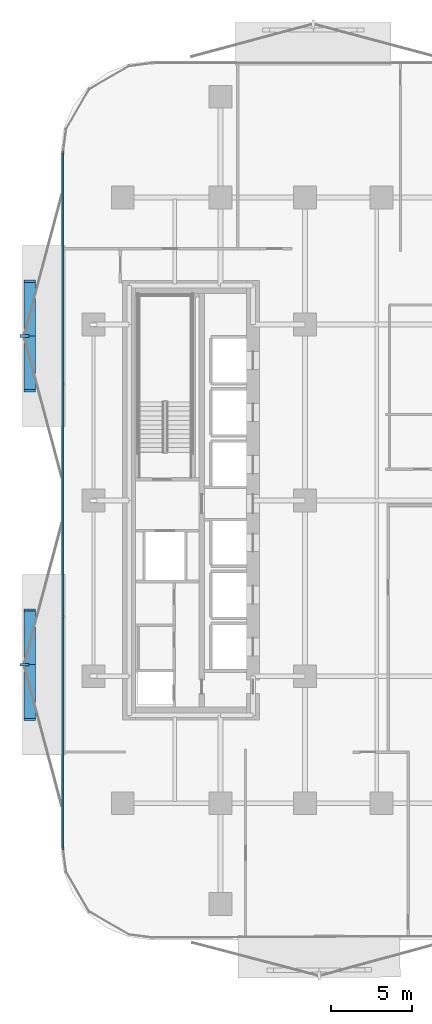
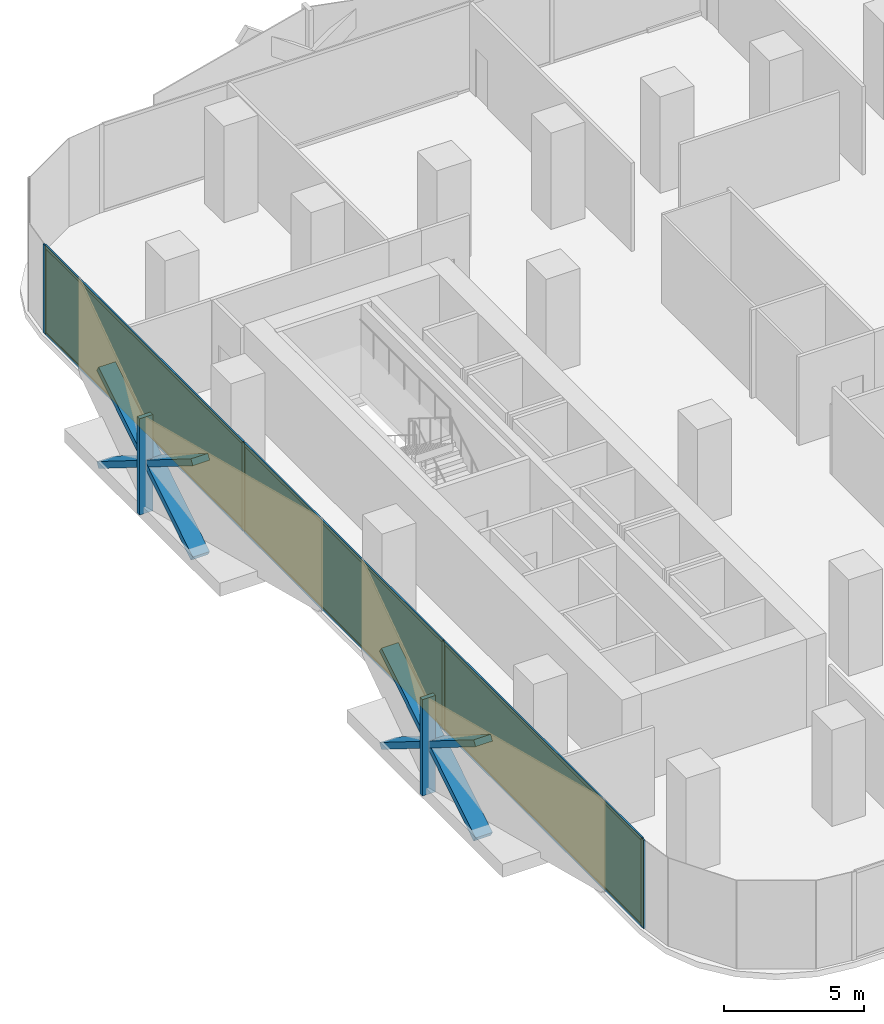
# One storey, part 9 of 16: 16 members, 3 plates, 1 curtain wall.
"""IFC4 building model written with IfcOpenShell, lengths in metres."""

from ifc_helpers import new_model, si_unit, direction, frame, frame_2d, origin, origin_2d, place, context, subcontext, project, spatial, rectangle, extrude, material, layer, layer_set, material_profile, profile_set, type_object, element, aggregate, save


model = new_model("IFC4")

# Units and contexts
model_context = context("Model", 3, precision=1e-05, world=origin(), true_north=direction((0.0, 1.0)))
body_context = subcontext(model_context, "Body", "Model", "MODEL_VIEW")
ifc_project = project(units=[si_unit("LENGTHUNIT", "METRE"), si_unit("AREAUNIT", "SQUARE_METRE"), si_unit("VOLUMEUNIT", "CUBIC_METRE"), si_unit("PLANEANGLEUNIT", "RADIAN"), si_unit("MASSUNIT", "GRAM", prefix="KILO")], contexts=[model_context])

# Member
ifc_material_1 = material(Name="Anodised Bronze Aluminium 6063-T6", Category="aluminium")
ifc_material_profile_1 = material_profile(ifc_material_1, rectangle(XDim=0.260009765625, YDim=0.699951171875, at=origin_2d()))
ifc_profile_set_1 = profile_set([ifc_material_profile_1], Name="Anodised Bronze Aluminium 6063-T6")
member_type_1 = type_object("IfcMemberType", Name="Bronze Diamond Solar-Screen Lattice Rib BDL-700", PredefinedType="MULLION", material=ifc_profile_set_1)
site_placement = place(None, origin())
building_placement = place(site_placement, origin())
storey_placement = place(building_placement, frame((0.0, 0.0, 80.60009765625)))
member_1_placement = place(storey_placement, frame((-26.10009765625, -13.46044921875, -0.130126953125), z_axis=(0.0, 0.848362902952, 0.529415134744), x_axis=(0.0, -0.529415134744, 0.848362902952)))
member_1 = element("IfcMember", 1, at=member_1_placement, type_object=member_type_1, Name="L19 Bronze Diamond Solar Screen Lattice Rib 107A", PredefinedType="MULLION", context=body_context, shape_type="SweptSolid", body=[
    extrude(rectangle(XDim=0.260009765625, YDim=0.699951171875, at=origin_2d()), origin(), (0.0, 0.0, 1.0), 7.93310546875),
])

member_2_placement = place(storey_placement, frame((-26.10009765625, -6.730224609375, -0.130126953125), z_axis=(0.0, -0.848362902952, 0.529415134744), x_axis=(0.0, 0.529415134744, 0.848362902952)))
member_2 = element("IfcMember", 2, at=member_2_placement, type_object=member_type_1, Name="L19 Bronze Diamond Solar Screen Lattice Rib 107B", PredefinedType="MULLION", context=body_context, shape_type="SweptSolid", body=[
    extrude(rectangle(XDim=0.260009765625, YDim=0.699951171875, at=origin_2d()), origin(), (0.0, 0.0, 1.0), 7.93310546875),
])

member_3_placement = place(storey_placement, frame((-26.10009765625, 6.730224609375, -0.130126953125), z_axis=(0.0, 0.848362902952, 0.529415134744), x_axis=(0.0, -0.529415134744, 0.848362902952)))
member_3 = element("IfcMember", 3, at=member_3_placement, type_object=member_type_1, Name="L19 Bronze Diamond Solar Screen Lattice Rib 108A", PredefinedType="MULLION", context=body_context, shape_type="SweptSolid", body=[
    extrude(rectangle(XDim=0.260009765625, YDim=0.699951171875, at=origin_2d()), origin(), (0.0, 0.0, 1.0), 7.93310546875),
])

member_4_placement = place(storey_placement, frame((-26.10009765625, 13.46044921875, -0.130126953125), z_axis=(0.0, -0.848362902952, 0.529415134744), x_axis=(0.0, 0.529415134744, 0.848362902952)))
member_4 = element("IfcMember", 4, at=member_4_placement, type_object=member_type_1, Name="L19 Bronze Diamond Solar Screen Lattice Rib 108B", PredefinedType="MULLION", context=body_context, shape_type="SweptSolid", body=[
    extrude(rectangle(XDim=0.260009765625, YDim=0.699951171875, at=origin_2d()), origin(), (0.0, 0.0, 1.0), 7.93310546875),
])

ifc_material_2 = material(Name="Anodised Bronze Aluminium 6063-T6", Category="aluminium")
ifc_material_profile_2 = material_profile(ifc_material_2, rectangle(XDim=0.179931640625, YDim=0.5400390625, at=origin_2d()))
ifc_profile_set_2 = profile_set([ifc_material_profile_2], Name="Anodised Bronze Aluminium 6063-T6")
member_type_2 = type_object("IfcMemberType", Name="Bronze Solar-Screen Vertical Fold Fin BSF-540", PredefinedType="MULLION", material=ifc_profile_set_2)
member_5_placement = place(storey_placement, frame((-26.43994140625, -10.095458984375, -0.130126953125), z_axis=(0.0, 0.0, 1.0), x_axis=(0.0, 1.0, 0.0)))
member_5 = element("IfcMember", 5, at=member_5_placement, type_object=member_type_2, Name="L19 Bronze Solar Screen Vertical Fin 107", PredefinedType="MULLION", context=body_context, shape_type="SweptSolid", body=[
    extrude(rectangle(XDim=0.179931640625, YDim=0.5400390625, at=origin_2d()), origin(), (0.0, 0.0, 1.0), 4.199951171875),
])

member_6_placement = place(storey_placement, frame((-26.43994140625, 10.095458984375, -0.130126953125), z_axis=(0.0, 0.0, 1.0), x_axis=(0.0, 1.0, 0.0)))
member_6 = element("IfcMember", 6, at=member_6_placement, type_object=member_type_2, Name="L19 Bronze Solar Screen Vertical Fin 108", PredefinedType="MULLION", context=body_context, shape_type="SweptSolid", body=[
    extrude(rectangle(XDim=0.179931640625, YDim=0.5400390625, at=origin_2d()), origin(), (0.0, 0.0, 1.0), 4.199951171875),
])

ifc_material_3 = material(Name="Anodised Bronze Aluminium 6063-T6", Category="aluminium")
ifc_material_profile_3 = material_profile(ifc_material_3, rectangle(XDim=0.06494140625, YDim=0.179931640625, at=origin_2d()))
ifc_profile_set_3 = profile_set([ifc_material_profile_3], Name="Anodised Bronze Aluminium 6063-T6")
member_type_3 = type_object("IfcMemberType", Name="CW-Z1 Mullion 65x180", PredefinedType="MULLION", material=ifc_profile_set_3)
member_7_placement = place(storey_placement, frame((-24.06005859375, -21.3583984375, 0.0), z_axis=(0.0, 0.0, 1.0), x_axis=(-1.0, 0.0, 0.0)))
member_7 = element("IfcMember", 7, at=member_7_placement, type_object=member_type_3, Name="CW-Z1 mullion 1", PredefinedType="MULLION", context=body_context, shape_type="SweptSolid", body=[
    extrude(rectangle(XDim=0.06494140625, YDim=0.179931640625, at=origin_2d()), origin(), (0.0, 0.0, 1.0), 3.849853515625),
])

member_8_placement = place(storey_placement, frame((-24.06005859375, -7.13037109375, 0.0), z_axis=(0.0, 0.0, 1.0), x_axis=(-1.0, 0.0, 0.0)))
member_8 = element("IfcMember", 8, at=member_8_placement, type_object=member_type_3, Name="CW-Z1 mullion 2", PredefinedType="MULLION", context=body_context, shape_type="SweptSolid", body=[
    extrude(rectangle(XDim=0.06494140625, YDim=0.179931640625, at=origin_2d()), origin(), (0.0, 0.0, 1.0), 3.849853515625),
])

member_9_placement = place(storey_placement, frame((-24.06005859375, 7.13037109375, 0.0), z_axis=(0.0, 0.0, 1.0), x_axis=(-1.0, 0.0, 0.0)))
member_9 = element("IfcMember", 9, at=member_9_placement, type_object=member_type_3, Name="CW-Z1 mullion 3", PredefinedType="MULLION", context=body_context, shape_type="SweptSolid", body=[
    extrude(rectangle(XDim=0.06494140625, YDim=0.179931640625, at=origin_2d()), origin(), (0.0, 0.0, 1.0), 3.849853515625),
])

member_10_placement = place(storey_placement, frame((-24.06005859375, 21.3583984375, 0.0), z_axis=(0.0, 0.0, 1.0), x_axis=(-1.0, 0.0, 0.0)))
member_10 = element("IfcMember", 10, at=member_10_placement, type_object=member_type_3, Name="CW-Z1 mullion 4", PredefinedType="MULLION", context=body_context, shape_type="SweptSolid", body=[
    extrude(rectangle(XDim=0.06494140625, YDim=0.179931640625, at=origin_2d()), origin(), (0.0, 0.0, 1.0), 3.849853515625),
])

ifc_material_4 = material(Name="Anodised Bronze Aluminium 6063-T6", Category="aluminium")
ifc_material_profile_4 = material_profile(ifc_material_4, rectangle(XDim=0.06494140625, YDim=0.139892578125, at=origin_2d()))
ifc_profile_set_4 = profile_set([ifc_material_profile_4], Name="Anodised Bronze Aluminium 6063-T6")
member_type_4 = type_object("IfcMemberType", Name="CW-Z1 Transom 65x140", PredefinedType="USERDEFINED", material=ifc_profile_set_4)
member_11_placement = place(storey_placement, frame((-24.06005859375, -21.32568359375, 0.032470703125), z_axis=(0.0, 1.0, 0.0), x_axis=(-1.0, 0.0, 0.0)))
member_11 = element("IfcMember", 11, at=member_11_placement, type_object=member_type_4, Name="CW-Z1 transom 1.1", ObjectType="TRANSOM", PredefinedType="USERDEFINED", context=body_context, shape_type="SweptSolid", body=[
    extrude(rectangle(XDim=0.06494140625, YDim=0.139892578125, at=origin_2d()), origin(), (0.0, 0.0, 1.0), 14.162841796875),
])

member_12_placement = place(storey_placement, frame((-24.06005859375, -21.32568359375, 3.8173828125), z_axis=(0.0, 1.0, 0.0), x_axis=(-1.0, 0.0, 0.0)))
member_12 = element("IfcMember", 12, at=member_12_placement, type_object=member_type_4, Name="CW-Z1 transom 1.2", ObjectType="TRANSOM", PredefinedType="USERDEFINED", context=body_context, shape_type="SweptSolid", body=[
    extrude(rectangle(XDim=0.06494140625, YDim=0.139892578125, at=origin_2d()), origin(), (0.0, 0.0, 1.0), 14.162841796875),
])

member_13_placement = place(storey_placement, frame((-24.06005859375, -7.09765625, 0.032470703125), z_axis=(0.0, 1.0, 0.0), x_axis=(-1.0, 0.0, 0.0)))
member_13 = element("IfcMember", 13, at=member_13_placement, type_object=member_type_4, Name="CW-Z1 transom 2.1", ObjectType="TRANSOM", PredefinedType="USERDEFINED", context=body_context, shape_type="SweptSolid", body=[
    extrude(rectangle(XDim=0.06494140625, YDim=0.139892578125, at=origin_2d()), origin(), (0.0, 0.0, 1.0), 14.1953125),
])

member_14_placement = place(storey_placement, frame((-24.06005859375, -7.09765625, 3.8173828125), z_axis=(0.0, 1.0, 0.0), x_axis=(-1.0, 0.0, 0.0)))
member_14 = element("IfcMember", 14, at=member_14_placement, type_object=member_type_4, Name="CW-Z1 transom 2.2", ObjectType="TRANSOM", PredefinedType="USERDEFINED", context=body_context, shape_type="SweptSolid", body=[
    extrude(rectangle(XDim=0.06494140625, YDim=0.139892578125, at=origin_2d()), origin(), (0.0, 0.0, 1.0), 14.1953125),
])

member_15_placement = place(storey_placement, frame((-24.06005859375, 7.162841796875, 0.032470703125), z_axis=(0.0, 1.0, 0.0), x_axis=(-1.0, 0.0, 0.0)))
member_15 = element("IfcMember", 15, at=member_15_placement, type_object=member_type_4, Name="CW-Z1 transom 3.1", ObjectType="TRANSOM", PredefinedType="USERDEFINED", context=body_context, shape_type="SweptSolid", body=[
    extrude(rectangle(XDim=0.06494140625, YDim=0.139892578125, at=origin_2d()), origin(), (0.0, 0.0, 1.0), 14.162841796875),
])

member_16_placement = place(storey_placement, frame((-24.06005859375, 7.162841796875, 3.8173828125), z_axis=(0.0, 1.0, 0.0), x_axis=(-1.0, 0.0, 0.0)))
member_16 = element("IfcMember", 16, at=member_16_placement, type_object=member_type_4, Name="CW-Z1 transom 3.2", ObjectType="TRANSOM", PredefinedType="USERDEFINED", context=body_context, shape_type="SweptSolid", body=[
    extrude(rectangle(XDim=0.06494140625, YDim=0.139892578125, at=origin_2d()), origin(), (0.0, 0.0, 1.0), 14.162841796875),
])

# Plate
ifc_material_5 = material(Name="Low-E Solar Control Laminated Glass", Category="glass")
ifc_layer_1 = layer(ifc_material_5, 0.028076171875, Name="Low-E Solar Control Laminated Glass")
ifc_layer_set_1 = layer_set([ifc_layer_1], Name="Low-E Solar Control Laminated Glass")
plate_type = type_object("IfcPlateType", Name="CW-Z1 Low-E Double Glazed Panel 28mm", PredefinedType="CURTAIN_PANEL", material=ifc_layer_set_1)
plate_1_placement = place(storey_placement, frame((-24.06005859375, -14.244384765625, 0.06494140625), z_axis=(0.0, 0.0, 1.0), x_axis=(0.0, 1.0, 0.0)))
plate_1 = element("IfcPlate", 17, at=plate_1_placement, type_object=plate_type, Name="CW-Z1 panel 1.1", PredefinedType="CURTAIN_PANEL", context=body_context, shape_type="SweptSolid", body=[
    extrude(rectangle(XDim=14.1630859375, YDim=0.028076171875, at=origin_2d()), origin(), (0.0, 0.0, 1.0), 3.719970703125),
])

plate_2_placement = place(storey_placement, frame((-24.06005859375, 0.0, 0.06494140625), z_axis=(0.0, 0.0, 1.0), x_axis=(0.0, 1.0, 0.0)))
plate_2 = element("IfcPlate", 18, at=plate_2_placement, type_object=plate_type, Name="CW-Z1 panel 2.1", PredefinedType="CURTAIN_PANEL", context=body_context, shape_type="SweptSolid", body=[
    extrude(rectangle(XDim=14.195556640625, YDim=0.028076171875, at=origin_2d()), origin(), (0.0, 0.0, 1.0), 3.719970703125),
])

plate_3_placement = place(storey_placement, frame((-24.06005859375, 14.244384765625, 0.06494140625), z_axis=(0.0, 0.0, 1.0), x_axis=(0.0, 1.0, 0.0)))
plate_3 = element("IfcPlate", 19, at=plate_3_placement, type_object=plate_type, Name="CW-Z1 panel 3.1", PredefinedType="CURTAIN_PANEL", context=body_context, shape_type="SweptSolid", body=[
    extrude(rectangle(XDim=14.1630859375, YDim=0.028076171875, at=origin_2d()), origin(), (0.0, 0.0, 1.0), 3.719970703125),
])

# Site, building, storey
site = spatial("IfcSite", under=ifc_project, at=site_placement, CompositionType="ELEMENT")
building = spatial("IfcBuilding", under=site, at=building_placement, Name="Khairoan Windgate Tower", CompositionType="ELEMENT")
storey = spatial("IfcBuildingStorey", under=building, at=storey_placement, Name="L19", CompositionType="ELEMENT", Elevation=80.60009765625)

# Curtain wall
ifc_material_6 = material(Name="Anodised Bronze Aluminium 6063-T6", Category="aluminium")
ifc_layer_2 = layer(ifc_material_6, 0.179931640625, Name="Anodised Bronze Aluminium 6063-T6")
ifc_layer_set_2 = layer_set([ifc_layer_2], Name="Anodised Bronze Aluminium 6063-T6")
curtain_wall_type = type_object("IfcCurtainWallType", Name="Low-Rise Office Unitised Curtain Wall CW-Z1", PredefinedType="NOTDEFINED", material=ifc_layer_set_2)
curtain_wall_placement = place(storey_placement, frame((-24.06005859375, -21.390869140625, 0.0), z_axis=(0.0, 0.0, 1.0), x_axis=(0.0, 1.0, 0.0)))
curtain_wall = element("IfcCurtainWall", 20, at=curtain_wall_placement, inside=storey, type_object=curtain_wall_type, Name="L19 Unitised Curtain Wall 6", PredefinedType="NOTDEFINED", context=body_context, shape_type="SweptSolid", body=[
    extrude(rectangle(XDim=42.78173828125, YDim=0.010009765625, at=frame_2d((21.390869140625, 0.0))), origin(), (0.0, 0.0, 1.0), 3.849853515625),
])

aggregate(curtain_wall, [member_7, member_8, member_9, member_10, member_11, member_12, plate_1, member_13, member_14, plate_2, member_15, member_16, plate_3, member_1, member_2, member_5, member_3, member_4, member_6])

save(model, "model.ifc")
